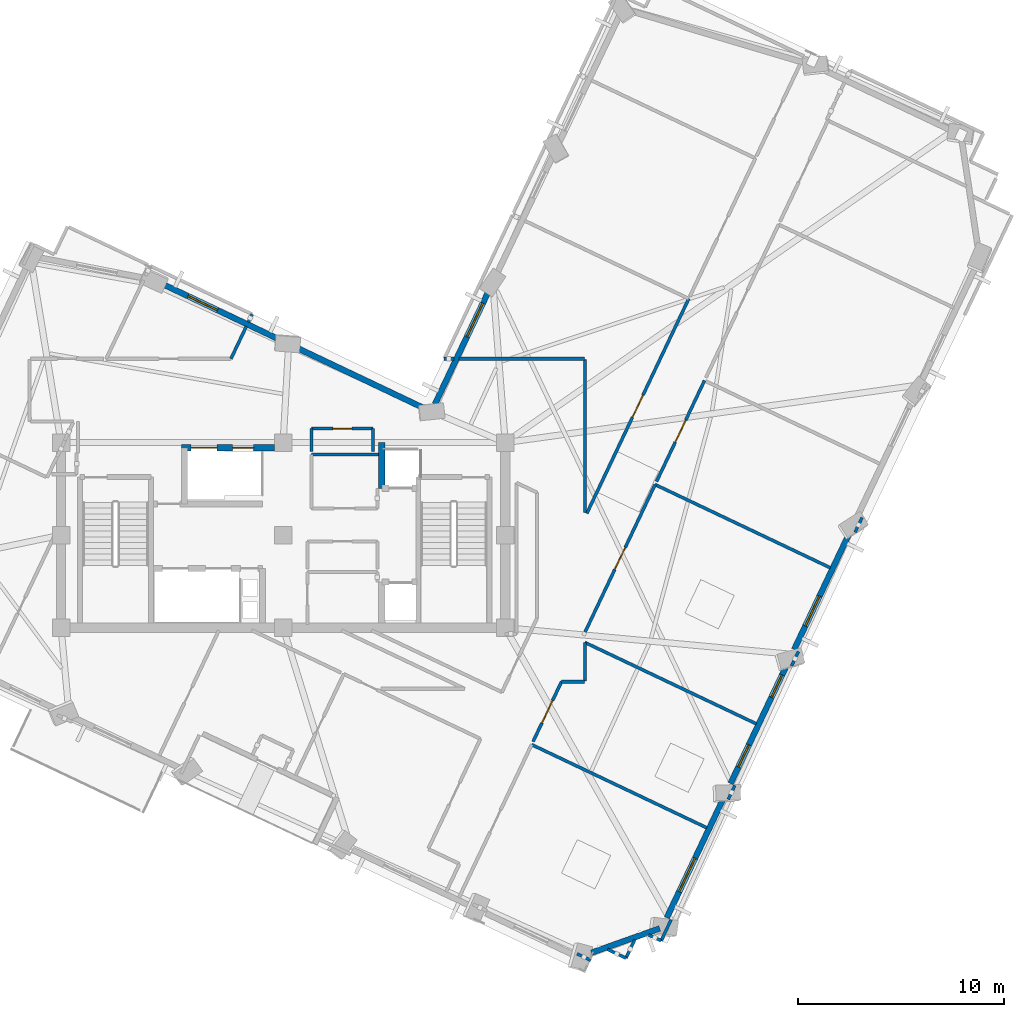
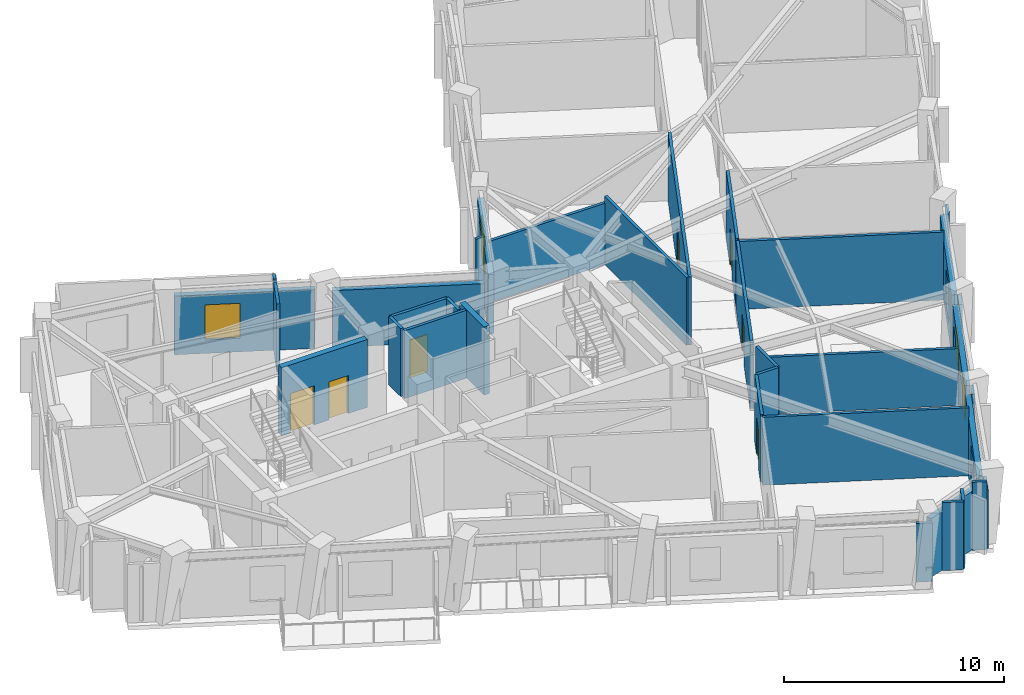
# One storey, part 7 of 13: 35 walls, 7 doors, 6 windows, 13 openings.
"""IFC4 building model written with IfcOpenShell, lengths in metres."""

from ifc_helpers import new_model, si_unit, direction, frame, frame_2d, origin, place, context, subcontext, project, spatial, rectangle, extrude, material, layer, layer_set, type_object, element, fill, save


model = new_model("IFC4")

# Units and contexts
model_context = context("Model", 3, precision=1e-05, world=origin(), true_north=direction((0.0, 1.0)))
body_context = subcontext(model_context, "Body", "Model", "MODEL_VIEW")
ifc_project = project(units=[si_unit("LENGTHUNIT", "METRE"), si_unit("AREAUNIT", "SQUARE_METRE"), si_unit("VOLUMEUNIT", "CUBIC_METRE"), si_unit("PLANEANGLEUNIT", "RADIAN"), si_unit("MASSUNIT", "GRAM", prefix="KILO")], contexts=[model_context])

# Site, building, storey
site_placement = place(None, origin())
site = spatial("IfcSite", under=ifc_project, at=site_placement, CompositionType="ELEMENT")
building_placement = place(site_placement, origin())
building = spatial("IfcBuilding", under=site, at=building_placement, Name="Gaonmaruhae Medical Tower", CompositionType="ELEMENT")
storey_placement = place(building_placement, frame((0.0, 0.0, 300.60009765625)))
storey = spatial("IfcBuildingStorey", under=building, at=storey_placement, Name="L72", CompositionType="ELEMENT", Elevation=300.60009765625)

# Wall, opening, window
ifc_material_1 = material(Name="Precast concrete C45/55", Category="concrete")
ifc_layer_1 = layer(ifc_material_1, 0.280029296875)
ifc_layer_set_1 = layer_set([ifc_layer_1], Name="Precast concrete C45/55")
wall_type_1 = type_object("IfcWallType", Name="EW-280 Upper Precast Masonry-Frame Facade Wall", PredefinedType="SOLIDWALL", material=ifc_layer_set_1)
wall_1_placement = place(storey_placement, frame((46.24169921875, -0.44921875, 0.0), z_axis=(0.0, 0.0, 1.0), x_axis=(-0.428929331446, -0.903338047812, 0.0)))
wall_1 = element("IfcWall", 1, at=wall_1_placement, inside=storey, type_object=wall_type_1, Name="L72 Precast Masonry-Frame Wall S01-S02", PredefinedType="SOLIDWALL", context=body_context, shape_type="SweptSolid", body=[
    extrude(rectangle(XDim=6.484619140625, YDim=0.280029296875, at=frame_2d((3.2421875, 0.0))), origin(), (0.0, 0.0, 1.0), 3.264892578125),
])
opening_1_placement = place(wall_1_placement, frame((3.281494140625, 0.0, 0.75)))
opening_1 = element("IfcOpeningElement", 2, at=opening_1_placement, cuts=wall_1, Name="Opening WN-04", PredefinedType="OPENING", context=body_context, shape_type="SweptSolid", body=[
    extrude(rectangle(XDim=1.800048828125, YDim=2.050048828125, at=frame_2d((0.89990234375, 1.02490234375))), frame((0.0, 0.14990234375, 0.0), z_axis=(0.0, -1.0, 0.0), x_axis=(1.0, 0.0, 0.0)), (0.0, 0.0, 1.0), 0.300048828125),
])
ifc_material_2 = material(Name="Anodised aluminium and Low-E double glazing", Category="aluminium")
window_type_1 = type_object("IfcWindowType", Name="WN-04 Clinic & Consult Punched Window 1800x2050", PartitioningType="SINGLE_PANEL", PredefinedType="WINDOW", material=ifc_material_2)
window_1_placement = place(opening_1_placement, origin())
window_1 = element("IfcWindow", 3, at=window_1_placement, inside=storey, type_object=window_type_1, Name="L72 Modular Facade Window S01", OverallHeight=2.050048828125, OverallWidth=1.800048828125, PartitioningType="SINGLE_PANEL", PredefinedType="WINDOW", context=body_context, shape_type="SweptSolid", body=[
    extrude(rectangle(XDim=1.800048828125, YDim=2.050048828125, at=frame_2d((0.89990234375, 1.02490234375))), frame((0.0, 0.030029296875, 0.0), z_axis=(0.0, -1.0, 0.0), x_axis=(1.0, 0.0, 0.0)), (0.0, 0.0, 1.0), 0.06005859375),
])
fill(opening_1, window_1)

# Wall, openings, windows
wall_2_placement = place(storey_placement, frame((49.322509765625, 6.03857421875, 0.0), z_axis=(0.0, 0.0, 1.0), x_axis=(-0.42896631969, -0.903320483866, 0.0)))
wall_2 = element("IfcWall", 4, at=wall_2_placement, inside=storey, type_object=wall_type_1, Name="L72 Precast Masonry-Frame Wall S02-S03", PredefinedType="SOLIDWALL", context=body_context, shape_type="SweptSolid", body=[
    extrude(rectangle(XDim=6.438720703125, YDim=0.280029296875, at=frame_2d((3.21923828125, 0.0))), origin(), (0.0, 0.0, 1.0), 3.264892578125),
])
opening_2_placement = place(wall_2_placement, frame((4.357666015625, 0.0, 0.75)))
opening_2 = element("IfcOpeningElement", 5, at=opening_2_placement, cuts=wall_2, Name="Opening WN-05", PredefinedType="OPENING", context=body_context, shape_type="SweptSolid", body=[
    extrude(rectangle(XDim=1.199951171875, YDim=1.75, at=frame_2d((0.60009765625, 0.875))), frame((0.0, 0.14990234375, 0.0), z_axis=(0.0, -1.0, 0.0), x_axis=(1.0, 0.0, 0.0)), (0.0, 0.0, 1.0), 0.300048828125),
])
opening_3_placement = place(wall_2_placement, frame((0.597900390625, 0.0, 0.75)))
opening_3 = element("IfcOpeningElement", 6, at=opening_3_placement, cuts=wall_2, Name="Opening WN-05", PredefinedType="OPENING", context=body_context, shape_type="SweptSolid", body=[
    extrude(rectangle(XDim=1.199951171875, YDim=1.75, at=frame_2d((0.60009765625, 0.875))), frame((0.0, 0.14990234375, 0.0), z_axis=(0.0, -1.0, 0.0), x_axis=(1.0, 0.0, 0.0)), (0.0, 0.0, 1.0), 0.300048828125),
])
window_type_2 = type_object("IfcWindowType", Name="WN-05 Support & Staff Punched Window 1200x1750", PartitioningType="SINGLE_PANEL", PredefinedType="WINDOW", material=ifc_material_2)
window_2_placement = place(opening_2_placement, origin())
window_2 = element("IfcWindow", 7, at=window_2_placement, inside=storey, type_object=window_type_2, Name="L72 Modular Facade Window S02", OverallHeight=1.75, OverallWidth=1.199951171875, PartitioningType="SINGLE_PANEL", PredefinedType="WINDOW", context=body_context, shape_type="SweptSolid", body=[
    extrude(rectangle(XDim=1.199951171875, YDim=1.75, at=frame_2d((0.60009765625, 0.875))), frame((0.0, 0.030029296875, 0.0), z_axis=(0.0, -1.0, 0.0), x_axis=(1.0, 0.0, 0.0)), (0.0, 0.0, 1.0), 0.06005859375),
])
fill(opening_2, window_2)
window_3_placement = place(opening_3_placement, origin())
window_3 = element("IfcWindow", 8, at=window_3_placement, inside=storey, type_object=window_type_2, Name="L72 Modular Facade Window S02B", OverallHeight=1.75, OverallWidth=1.199951171875, PartitioningType="SINGLE_PANEL", PredefinedType="WINDOW", context=body_context, shape_type="SweptSolid", body=[
    extrude(rectangle(XDim=1.199951171875, YDim=1.75, at=frame_2d((0.60009765625, 0.875))), frame((0.0, 0.030029296875, 0.0), z_axis=(0.0, -1.0, 0.0), x_axis=(1.0, 0.0, 0.0)), (0.0, 0.0, 1.0), 0.06005859375),
])
fill(opening_3, window_3)

# Wall, opening, window
wall_3_placement = place(storey_placement, frame((52.406982421875, 12.53515625, 0.0), z_axis=(0.0, 0.0, 1.0), x_axis=(-0.428909274497, -0.903347571121, 0.0)))
wall_3 = element("IfcWall", 9, at=wall_3_placement, inside=storey, type_object=wall_type_1, Name="L72 Precast Masonry-Frame Wall S03-S04", PredefinedType="SOLIDWALL", context=body_context, shape_type="SweptSolid", body=[
    extrude(rectangle(XDim=6.413330078125, YDim=0.280029296875, at=frame_2d((3.20654296875, 0.0))), origin(), (0.0, 0.0, 1.0), 3.264892578125),
])
opening_4_placement = place(wall_3_placement, frame((3.5458984375, 0.0, 0.75)))
opening_4 = element("IfcOpeningElement", 10, at=opening_4_placement, cuts=wall_3, Name="Opening WN-01", PredefinedType="OPENING", context=body_context, shape_type="SweptSolid", body=[
    extrude(rectangle(XDim=1.60009765625, YDim=1.949951171875, at=frame_2d((0.800048828125, 0.97509765625))), frame((0.0, 0.14990234375, 0.0), z_axis=(0.0, -1.0, 0.0), x_axis=(1.0, 0.0, 0.0)), (0.0, 0.0, 1.0), 0.300048828125),
])
window_type_3 = type_object("IfcWindowType", Name="WN-01 Ward Punched Acoustic Window 1600x1950", PartitioningType="SINGLE_PANEL", PredefinedType="WINDOW", material=ifc_material_2)
window_4_placement = place(opening_4_placement, origin())
window_4 = element("IfcWindow", 11, at=window_4_placement, inside=storey, type_object=window_type_3, Name="L72 Modular Facade Window S03", OverallHeight=1.949951171875, OverallWidth=1.60009765625, PartitioningType="SINGLE_PANEL", PredefinedType="WINDOW", context=body_context, shape_type="SweptSolid", body=[
    extrude(rectangle(XDim=1.60009765625, YDim=1.949951171875, at=frame_2d((0.800048828125, 0.97509765625))), frame((0.0, 0.030029296875, 0.0), z_axis=(0.0, -1.0, 0.0), x_axis=(1.0, 0.0, 0.0)), (0.0, 0.0, 1.0), 0.06005859375),
])
fill(opening_4, window_4)

wall_4_placement = place(storey_placement, frame((32.183837890625, 18.67041015625, 0.0), z_axis=(0.0, 0.0, 1.0), x_axis=(0.428931463167, 0.90333703561, 0.0)))
wall_4 = element("IfcWall", 12, at=wall_4_placement, inside=storey, type_object=wall_type_1, Name="L72 Precast Masonry-Frame Wall EN02-KN01", PredefinedType="SOLIDWALL", context=body_context, shape_type="SweptSolid", body=[
    extrude(rectangle(XDim=6.157958984375, YDim=0.280029296875, at=frame_2d((3.0791015625, 0.0))), origin(), (0.0, 0.0, 1.0), 3.264892578125),
])
opening_5_placement = place(wall_4_placement, frame((3.6376953125, 0.0, 0.75)))
opening_5 = element("IfcOpeningElement", 13, at=opening_5_placement, cuts=wall_4, Name="Opening WN-04", PredefinedType="OPENING", context=body_context, shape_type="SweptSolid", body=[
    extrude(rectangle(XDim=1.800048828125, YDim=2.050048828125, at=frame_2d((0.89990234375, 1.02490234375))), frame((0.0, 0.14990234375, 0.0), z_axis=(0.0, -1.0, 0.0), x_axis=(1.0, 0.0, 0.0)), (0.0, 0.0, 1.0), 0.300048828125),
])
window_5_placement = place(opening_5_placement, origin())
window_5 = element("IfcWindow", 14, at=window_5_placement, inside=storey, type_object=window_type_1, Name="L72 Modular Facade Window EN02", OverallHeight=2.050048828125, OverallWidth=1.800048828125, PartitioningType="SINGLE_PANEL", PredefinedType="WINDOW", context=body_context, shape_type="SweptSolid", body=[
    extrude(rectangle(XDim=1.800048828125, YDim=2.050048828125, at=frame_2d((0.89990234375, 1.02490234375))), frame((0.0, 0.030029296875, 0.0), z_axis=(0.0, -1.0, 0.0), x_axis=(1.0, 0.0, 0.0)), (0.0, 0.0, 1.0), 0.06005859375),
])
fill(opening_5, window_5)

# Wall
wall_5_placement = place(storey_placement, frame((25.41455078125, 21.435791015625, 0.0), z_axis=(0.0, 0.0, 1.0), x_axis=(0.903343787047, -0.428917244236, 0.0)))
element("IfcWall", 15, at=wall_5_placement, inside=storey, type_object=wall_type_1, Name="L72 Precast Masonry-Frame Wall KN01-NE01", PredefinedType="SOLIDWALL", context=body_context, shape_type="SweptSolid", body=[
    extrude(rectangle(XDim=6.9580078125, YDim=0.280029296875, at=frame_2d((3.47900390625, 0.0))), origin(), (0.0, 0.0, 1.0), 3.164794921875),
])

# Wall, opening, window
wall_6_placement = place(storey_placement, frame((18.8994140625, 24.529296875, 0.0), z_axis=(0.0, 0.0, 1.0), x_axis=(0.903347453224, -0.428909522806, 0.0)))
wall_6 = element("IfcWall", 16, at=wall_6_placement, inside=storey, type_object=wall_type_1, Name="L72 Precast Masonry-Frame Wall NE01-NE02", PredefinedType="SOLIDWALL", context=body_context, shape_type="SweptSolid", body=[
    extrude(rectangle(XDim=6.424072265625, YDim=0.280029296875, at=frame_2d((3.2119140625, 0.0))), origin(), (0.0, 0.0, 1.0), 3.264892578125),
])
opening_6_placement = place(wall_6_placement, frame((1.401123046875, 0.0, 0.75)))
opening_6 = element("IfcOpeningElement", 17, at=opening_6_placement, cuts=wall_6, Name="Opening WN-01", PredefinedType="OPENING", context=body_context, shape_type="SweptSolid", body=[
    extrude(rectangle(XDim=1.60009765625, YDim=1.949951171875, at=frame_2d((0.800048828125, 0.97509765625))), frame((0.0, 0.14990234375, 0.0), z_axis=(0.0, -1.0, 0.0), x_axis=(1.0, 0.0, 0.0)), (0.0, 0.0, 1.0), 0.300048828125),
])
window_6_placement = place(opening_6_placement, origin())
window_6 = element("IfcWindow", 18, at=window_6_placement, inside=storey, type_object=window_type_3, Name="L72 Modular Facade Window NE01", OverallHeight=1.949951171875, OverallWidth=1.60009765625, PartitioningType="SINGLE_PANEL", PredefinedType="WINDOW", context=body_context, shape_type="SweptSolid", body=[
    extrude(rectangle(XDim=1.60009765625, YDim=1.949951171875, at=frame_2d((0.800048828125, 0.97509765625))), frame((0.0, 0.030029296875, 0.0), z_axis=(0.0, -1.0, 0.0), x_axis=(1.0, 0.0, 0.0)), (0.0, 0.0, 1.0), 0.06005859375),
])
fill(opening_6, window_6)

# Walls
wall_7_placement = place(storey_placement, frame((43.116455078125, -6.82666015625, 0.0), z_axis=(0.0, 0.0, 1.0), x_axis=(-0.94204432359, -0.335488438537, 0.0)))
element("IfcWall", 19, at=wall_7_placement, inside=storey, type_object=wall_type_1, Name="L72 Precast Masonry-Frame Wall W06-S01", PredefinedType="SOLIDWALL", context=body_context, shape_type="SweptSolid", body=[
    extrude(rectangle(XDim=3.520751953125, YDim=0.280029296875, at=frame_2d((1.76025390625, 0.0))), origin(), (0.0, 0.0, 1.0), 3.264892578125),
])
ifc_material_3 = material(Name="Gypsum board partition", Category="gypsum")
ifc_layer_2 = layer(ifc_material_3, 0.14990234375)
ifc_layer_set_2 = layer_set([ifc_layer_2], Name="Gypsum board partition")
wall_type_2 = type_object("IfcWallType", Name="PW-150 Rated Clinical Corridor Partition", PredefinedType="PARTITIONING", material=ifc_layer_set_2)
wall_8_placement = place(storey_placement, frame((26.179931640625, 16.219970703125, 0.0), z_axis=(0.0, 0.0, 1.0), x_axis=(1.0, 0.0, 0.0)))
element("IfcWall", 20, at=wall_8_placement, inside=storey, type_object=wall_type_2, Name="L72 Interior Partition L72-RCL2-8", PredefinedType="PARTITIONING", context=body_context, shape_type="SweptSolid", body=[
    extrude(rectangle(XDim=3.260009765625, YDim=0.14990234375, at=frame_2d((1.6298828125, 0.0))), origin(), (0.0, 0.0, 1.0), 3.77978515625),
])
wall_9_placement = place(storey_placement, frame((26.179931640625, 16.3798828125, 0.0), z_axis=(0.0, 0.0, 1.0), x_axis=(0.0, 1.0, 0.0)))
element("IfcWall", 21, at=wall_9_placement, inside=storey, type_object=wall_type_2, Name="L72 Interior Partition L72-CS2-11", PredefinedType="PARTITIONING", context=body_context, shape_type="SweptSolid", body=[
    extrude(rectangle(XDim=1.10009765625, YDim=0.14990234375, at=frame_2d((0.550048828125, 0.0))), origin(), (0.0, 0.0, 1.0), 3.77978515625),
])

# Wall, opening, door
wall_10_placement = place(storey_placement, frame((26.179931640625, 17.47998046875, 0.0), z_axis=(0.0, 0.0, 1.0), x_axis=(1.0, 0.0, 0.0)))
wall_10 = element("IfcWall", 22, at=wall_10_placement, inside=storey, type_object=wall_type_2, Name="L72 Interior Partition L72-CS2-12", PredefinedType="PARTITIONING", context=body_context, shape_type="SweptSolid", body=[
    extrude(rectangle(XDim=3.0, YDim=0.14990234375, at=frame_2d((1.5, 0.0))), origin(), (0.0, 0.0, 1.0), 3.77978515625),
])
opening_7_placement = place(wall_10_placement, frame((1.0400390625, 0.0, 0.0)))
opening_7 = element("IfcOpeningElement", 23, at=opening_7_placement, cuts=wall_10, Name="Opening UD-01", PredefinedType="OPENING", context=body_context, shape_type="SweptSolid", body=[
    extrude(rectangle(XDim=0.919921875, YDim=2.10009765625, at=frame_2d((0.4599609375, 1.050048828125))), frame((0.0, 0.0849609375, 0.0), z_axis=(0.0, -1.0, 0.0), x_axis=(1.0, 0.0, 0.0)), (0.0, 0.0, 1.0), 0.169921875),
])
ifc_material_4 = material(Name="Powder-coated steel utility door", Category="steel")
door_type_1 = type_object("IfcDoorType", Name="UD-01 Toilet, Utility & Housekeeping Door 920x2100", OperationType="NOTDEFINED", PredefinedType="DOOR", material=ifc_material_4)
door_1_placement = place(opening_7_placement, origin())
door_1 = element("IfcDoor", 24, at=door_1_placement, inside=storey, type_object=door_type_1, Name="L72 Biomedical Telemetry Closet Door", OperationType="SINGLE_SWING_RIGHT", OverallHeight=2.10009765625, OverallWidth=0.919921875, PredefinedType="DOOR", context=body_context, shape_type="SweptSolid", body=[
    extrude(rectangle(XDim=0.919921875, YDim=2.10009765625, at=frame_2d((0.4599609375, 1.050048828125))), frame((0.0, 0.02490234375, 0.0), z_axis=(0.0, -1.0, 0.0), x_axis=(1.0, 0.0, 0.0)), (0.0, 0.0, 1.0), 0.050048828125),
])
fill(opening_7, door_1)

# Walls
wall_11_placement = place(storey_placement, frame((29.179931640625, 17.47998046875, 0.0), z_axis=(0.0, 0.0, 1.0), x_axis=(0.0, -1.0, 0.0)))
element("IfcWall", 25, at=wall_11_placement, inside=storey, type_object=wall_type_2, Name="L72 Interior Partition L72-CS2-13", PredefinedType="PARTITIONING", context=body_context, shape_type="SweptSolid", body=[
    extrude(rectangle(XDim=1.10009765625, YDim=0.14990234375, at=frame_2d((0.550048828125, 0.0))), origin(), (0.0, 0.0, 1.0), 3.77978515625),
])
wall_12_placement = place(storey_placement, frame((41.47412109375, -8.27490234375, 0.0), z_axis=(0.0, 0.0, 1.0), x_axis=(-0.903243971054, 0.429127403872, 0.0)))
element("IfcWall", 26, at=wall_12_placement, inside=storey, type_object=wall_type_2, Name="L72 Interior Partition L72-SUP01-14", PredefinedType="PARTITIONING", context=body_context, shape_type="SweptSolid", body=[
    extrude(rectangle(XDim=0.987548828125, YDim=0.14990234375, at=frame_2d((0.49365234375, 0.0))), origin(), (0.0, 0.0, 1.0), 3.77978515625),
])
wall_13_placement = place(storey_placement, frame((39.764892578125, -8.376953125, 0.0), z_axis=(0.0, 0.0, 1.0), x_axis=(-0.903447558954, 0.428698621667, 0.0)))
element("IfcWall", 27, at=wall_13_placement, inside=storey, type_object=wall_type_2, Name="L72 Interior Partition L72-SUP01-15", PredefinedType="PARTITIONING", context=body_context, shape_type="SweptSolid", body=[
    extrude(rectangle(XDim=0.73681640625, YDim=0.14990234375, at=frame_2d((0.368408203125, 0.0))), origin(), (0.0, 0.0, 1.0), 3.264892578125),
])
wall_14_placement = place(storey_placement, frame((36.885986328125, 2.112060546875, 0.0), z_axis=(0.0, 0.0, 1.0), x_axis=(0.903330146776, -0.428945970871, 0.0)))
element("IfcWall", 28, at=wall_14_placement, inside=storey, type_object=wall_type_2, Name="L72 Interior Partition L72-SUP01-18", PredefinedType="PARTITIONING", context=body_context, shape_type="SweptSolid", body=[
    extrude(rectangle(XDim=9.43505859375, YDim=0.14990234375, at=frame_2d((4.717529296875, 0.0))), origin(), (0.0, 0.0, 1.0), 3.77978515625),
])
wall_15_placement = place(storey_placement, frame((43.66796875, -6.406005859375, 0.0), z_axis=(0.0, 0.0, 1.0), x_axis=(-0.428606838529, -0.903491105638, 0.0)))
element("IfcWall", 29, at=wall_15_placement, inside=storey, type_object=wall_type_2, Name="L72 Interior Partition L72-SUP01-19", PredefinedType="PARTITIONING", context=body_context, shape_type="SweptSolid", body=[
    extrude(rectangle(XDim=1.12890625, YDim=0.14990234375, at=frame_2d((0.564453125, 0.0))), origin(), (0.0, 0.0, 1.0), 3.264892578125),
])
wall_16_placement = place(storey_placement, frame((43.18408203125, -7.426025390625, 0.0), z_axis=(0.0, 0.0, 1.0), x_axis=(-0.90345462393, 0.428683732488, 0.0)))
element("IfcWall", 30, at=wall_16_placement, inside=storey, type_object=wall_type_2, Name="L72 Interior Partition L72-SUP01-20", PredefinedType="PARTITIONING", context=body_context, shape_type="SweptSolid", body=[
    extrude(rectangle(XDim=0.66748046875, YDim=0.14990234375, at=frame_2d((0.333740234375, 0.0))), origin(), (0.0, 0.0, 1.0), 3.77978515625),
])
wall_17_placement = place(storey_placement, frame((41.89794921875, -7.383056640625, 0.0), z_axis=(0.0, 0.0, 1.0), x_axis=(-0.429223236607, -0.903198435094, 0.0)))
element("IfcWall", 31, at=wall_17_placement, inside=storey, type_object=wall_type_2, Name="L72 Interior Partition L72-SUP01-21", PredefinedType="PARTITIONING", context=body_context, shape_type="SweptSolid", body=[
    extrude(rectangle(XDim=0.987548828125, YDim=0.14990234375, at=frame_2d((0.49365234375, 0.0))), origin(), (0.0, 0.0, 1.0), 3.77978515625),
])
wall_18_placement = place(storey_placement, frame((39.47998046875, 5.199951171875, 0.0), z_axis=(0.0, 0.0, 1.0), x_axis=(0.0, 1.0, 0.0)))
element("IfcWall", 32, at=wall_18_placement, inside=storey, type_object=wall_type_2, Name="L72 Interior Partition L72-SUP02-22", PredefinedType="PARTITIONING", context=body_context, shape_type="SweptSolid", body=[
    extrude(rectangle(XDim=1.880126953125, YDim=0.14990234375, at=frame_2d((0.93994140625, 0.0))), origin(), (0.0, 0.0, 1.0), 3.77978515625),
])
wall_19_placement = place(storey_placement, frame((39.47998046875, 7.080078125, 0.0), z_axis=(0.0, 0.0, 1.0), x_axis=(0.903327769152, -0.428950977943, 0.0)))
element("IfcWall", 33, at=wall_19_placement, inside=storey, type_object=wall_type_2, Name="L72 Interior Partition L72-SUP02-23", PredefinedType="PARTITIONING", context=body_context, shape_type="SweptSolid", body=[
    extrude(rectangle(XDim=9.22265625, YDim=0.14990234375, at=frame_2d((4.611328125, 0.0))), origin(), (0.0, 0.0, 1.0), 3.164794921875),
])
wall_20_placement = place(storey_placement, frame((46.76806640625, 0.1240234375, 0.0), z_axis=(0.0, 0.0, 1.0), x_axis=(-0.428876087567, -0.903363327523, 0.0)))
element("IfcWall", 34, at=wall_20_placement, inside=storey, type_object=wall_type_2, Name="L72 Interior Partition L72-SUP02-24", PredefinedType="PARTITIONING", context=body_context, shape_type="SweptSolid", body=[
    extrude(rectangle(XDim=0.744140625, YDim=0.14990234375, at=frame_2d((0.3720703125, 0.0))), origin(), (0.0, 0.0, 1.0), 3.264892578125),
])

# Wall, opening, door
wall_21_placement = place(storey_placement, frame((36.955078125, 2.257080078125, 0.0), z_axis=(0.0, 0.0, 1.0), x_axis=(0.428857570824, 0.903372118203, 0.0)))
wall_21 = element("IfcWall", 35, at=wall_21_placement, inside=storey, type_object=wall_type_2, Name="L72 Interior Partition L72-SUP02-25", PredefinedType="PARTITIONING", context=body_context, shape_type="SweptSolid", body=[
    extrude(rectangle(XDim=3.224365234375, YDim=0.14990234375, at=frame_2d((1.6123046875, 0.0))), origin(), (0.0, 0.0, 1.0), 3.77978515625),
])
opening_8_placement = place(wall_21_placement, frame((1.01220703125, 0.0, 0.0)))
opening_8 = element("IfcOpeningElement", 36, at=opening_8_placement, cuts=wall_21, Name="Opening CD-02", PredefinedType="OPENING", context=body_context, shape_type="SweptSolid", body=[
    extrude(rectangle(XDim=1.199951171875, YDim=2.14990234375, at=frame_2d((0.60009765625, 1.074951171875))), frame((0.0, 0.0849609375, 0.0), z_axis=(0.0, -1.0, 0.0), x_axis=(1.0, 0.0, 0.0)), (0.0, 0.0, 1.0), 0.169921875),
])
ifc_material_5 = material(Name="Antimicrobial laminate timber fire door", Category="wood")
door_type_2 = type_object("IfcDoorType", Name="CD-02 Clinical Treatment & Procedure Door 1200x2150", OperationType="NOTDEFINED", PredefinedType="DOOR", material=ifc_material_5)
door_2_placement = place(opening_8_placement, origin())
door_2 = element("IfcDoor", 37, at=door_2_placement, inside=storey, type_object=door_type_2, Name="L72 Clinical Biomedical Charting Office Door", OperationType="SINGLE_SWING_LEFT", OverallHeight=2.14990234375, OverallWidth=1.199951171875, PredefinedType="DOOR", context=body_context, shape_type="SweptSolid", body=[
    extrude(rectangle(XDim=1.199951171875, YDim=2.14990234375, at=frame_2d((0.60009765625, 1.074951171875))), frame((0.0, 0.02490234375, 0.0), z_axis=(0.0, -1.0, 0.0), x_axis=(1.0, 0.0, 0.0)), (0.0, 0.0, 1.0), 0.050048828125),
])
fill(opening_8, door_2)

# Walls
wall_22_placement = place(storey_placement, frame((38.337890625, 5.169921875, 0.0), z_axis=(0.0, 0.0, 1.0), x_axis=(1.0, 0.0, 0.0)))
element("IfcWall", 38, at=wall_22_placement, inside=storey, type_object=wall_type_2, Name="L72 Interior Partition L72-SUP02-26", PredefinedType="PARTITIONING", context=body_context, shape_type="SweptSolid", body=[
    extrude(rectangle(XDim=1.114990234375, YDim=0.14990234375, at=frame_2d((0.5576171875, 0.0))), origin(), (0.0, 0.0, 1.0), 3.77978515625),
])
wall_23_placement = place(storey_placement, frame((42.89111328125, 14.759033203125, 0.0), z_axis=(0.0, 0.0, 1.0), x_axis=(0.903330146776, -0.428945970871, 0.0)))
element("IfcWall", 39, at=wall_23_placement, inside=storey, type_object=wall_type_2, Name="L72 Interior Partition L72-SUP03-27", PredefinedType="PARTITIONING", context=body_context, shape_type="SweptSolid", body=[
    extrude(rectangle(XDim=9.43505859375, YDim=0.14990234375, at=frame_2d((4.717529296875, 0.0))), origin(), (0.0, 0.0, 1.0), 3.77978515625),
])
wall_24_placement = place(storey_placement, frame((49.864013671875, 6.64306640625, 0.0), z_axis=(0.0, 0.0, 1.0), x_axis=(-0.429056814568, -0.903277504354, 0.0)))
element("IfcWall", 40, at=wall_24_placement, inside=storey, type_object=wall_type_2, Name="L72 Interior Partition L72-SUP03-28", PredefinedType="PARTITIONING", context=body_context, shape_type="SweptSolid", body=[
    extrude(rectangle(XDim=0.7783203125, YDim=0.14990234375, at=frame_2d((0.38916015625, 0.0))), origin(), (0.0, 0.0, 1.0), 3.264892578125),
])

# Wall, opening, door
wall_25_placement = place(storey_placement, frame((39.47998046875, 7.574951171875, 0.0), z_axis=(0.0, 0.0, 1.0), x_axis=(0.428922806164, 0.903341146163, 0.0)))
wall_25 = element("IfcWall", 41, at=wall_25_placement, inside=storey, type_object=wall_type_2, Name="L72 Interior Partition L72-SUP03-29", PredefinedType="PARTITIONING", context=body_context, shape_type="SweptSolid", body=[
    extrude(rectangle(XDim=7.952880859375, YDim=0.14990234375, at=frame_2d((3.9765625, 0.0))), origin(), (0.0, 0.0, 1.0), 3.77978515625),
])
opening_9_placement = place(wall_25_placement, frame((3.376220703125, 0.0, 0.0)))
opening_9 = element("IfcOpeningElement", 42, at=opening_9_placement, cuts=wall_25, Name="Opening CD-02", PredefinedType="OPENING", context=body_context, shape_type="SweptSolid", body=[
    extrude(rectangle(XDim=1.199951171875, YDim=2.14990234375, at=frame_2d((0.60009765625, 1.074951171875))), frame((0.0, 0.0849609375, 0.0), z_axis=(0.0, -1.0, 0.0), x_axis=(1.0, 0.0, 0.0)), (0.0, 0.0, 1.0), 0.169921875),
])
door_3_placement = place(opening_9_placement, origin())
door_3 = element("IfcDoor", 43, at=door_3_placement, inside=storey, type_object=door_type_2, Name="L72 Clinical Biomedical Charting Office Door", OperationType="SINGLE_SWING_RIGHT", OverallHeight=2.14990234375, OverallWidth=1.199951171875, PredefinedType="DOOR", context=body_context, shape_type="SweptSolid", body=[
    extrude(rectangle(XDim=1.199951171875, YDim=2.14990234375, at=frame_2d((0.60009765625, 1.074951171875))), frame((0.0, 0.02490234375, 0.0), z_axis=(0.0, -1.0, 0.0), x_axis=(1.0, 0.0, 0.0)), (0.0, 0.0, 1.0), 0.050048828125),
])
fill(opening_9, door_3)

wall_26_placement = place(storey_placement, frame((42.9599609375, 14.904052734375, 0.0), z_axis=(0.0, 0.0, 1.0), x_axis=(0.428881036616, 0.903360977921, 0.0)))
wall_26 = element("IfcWall", 44, at=wall_26_placement, inside=storey, type_object=wall_type_2, Name="L72 Interior Partition L72-SUP04-30", PredefinedType="PARTITIONING", context=body_context, shape_type="SweptSolid", body=[
    extrude(rectangle(XDim=5.439697265625, YDim=0.14990234375, at=frame_2d((2.7197265625, 0.0))), origin(), (0.0, 0.0, 1.0), 3.77978515625),
])
opening_10_placement = place(wall_26_placement, frame((2.119873046875, 0.0, 0.0)))
opening_10 = element("IfcOpeningElement", 45, at=opening_10_placement, cuts=wall_26, Name="Opening CD-02", PredefinedType="OPENING", context=body_context, shape_type="SweptSolid", body=[
    extrude(rectangle(XDim=1.199951171875, YDim=2.14990234375, at=frame_2d((0.60009765625, 1.074951171875))), frame((0.0, 0.0849609375, 0.0), z_axis=(0.0, -1.0, 0.0), x_axis=(1.0, 0.0, 0.0)), (0.0, 0.0, 1.0), 0.169921875),
])
door_4_placement = place(opening_10_placement, origin())
door_4 = element("IfcDoor", 46, at=door_4_placement, inside=storey, type_object=door_type_2, Name="L72 Clinical Biomedical Charting Office Door", OperationType="SINGLE_SWING_RIGHT", OverallHeight=2.14990234375, OverallWidth=1.199951171875, PredefinedType="DOOR", context=body_context, shape_type="SweptSolid", body=[
    extrude(rectangle(XDim=1.199951171875, YDim=2.14990234375, at=frame_2d((0.60009765625, 1.074951171875))), frame((0.0, 0.02490234375, 0.0), z_axis=(0.0, -1.0, 0.0), x_axis=(1.0, 0.0, 0.0)), (0.0, 0.0, 1.0), 0.050048828125),
])
fill(opening_10, door_4)

# Walls
wall_27_placement = place(storey_placement, frame((52.955078125, 13.154052734375, 0.0), z_axis=(0.0, 0.0, 1.0), x_axis=(-0.428535912519, -0.903524748793, 0.0)))
element("IfcWall", 47, at=wall_27_placement, inside=storey, type_object=wall_type_2, Name="L72 Interior Partition L72-SUP04-32", PredefinedType="PARTITIONING", context=body_context, shape_type="SweptSolid", body=[
    extrude(rectangle(XDim=0.793701171875, YDim=0.14990234375, at=frame_2d((0.39697265625, 0.0))), origin(), (0.0, 0.0, 1.0), 3.264892578125),
])
wall_28_placement = place(storey_placement, frame((39.449951171875, 20.8798828125, 0.0), z_axis=(0.0, 0.0, 1.0), x_axis=(-1.0, 0.0, 0.0)))
element("IfcWall", 48, at=wall_28_placement, inside=storey, type_object=wall_type_2, Name="L72 Interior Partition L72-IE02-67", PredefinedType="PARTITIONING", context=body_context, shape_type="SweptSolid", body=[
    extrude(rectangle(XDim=6.08984375, YDim=0.14990234375, at=frame_2d((3.044921875, 0.0))), origin(), (0.0, 0.0, 1.0), 3.414794921875),
])
wall_29_placement = place(storey_placement, frame((33.10595703125, 20.8798828125, 0.0), z_axis=(0.0, 0.0, 1.0), x_axis=(-1.0, 0.0, 0.0)))
element("IfcWall", 49, at=wall_29_placement, inside=storey, type_object=wall_type_2, Name="L72 Interior Partition L72-IE02-68", PredefinedType="PARTITIONING", context=body_context, shape_type="SweptSolid", body=[
    extrude(rectangle(XDim=0.48193359375, YDim=0.14990234375, at=frame_2d((0.240966796875, 0.0))), origin(), (0.0, 0.0, 1.0), 3.77978515625),
])

# Wall, opening, door
wall_30_placement = place(storey_placement, frame((44.527099609375, 23.799072265625, 0.0), z_axis=(0.0, 0.0, 1.0), x_axis=(-0.428918545399, -0.90334316924, 0.0)))
wall_30 = element("IfcWall", 50, at=wall_30_placement, inside=storey, type_object=wall_type_2, Name="L72 Interior Partition L72-IE02-72", PredefinedType="PARTITIONING", context=body_context, shape_type="SweptSolid", body=[
    extrude(rectangle(XDim=11.5615234375, YDim=0.14990234375, at=frame_2d((5.78076171875, 0.0))), origin(), (0.0, 0.0, 1.0), 3.77978515625),
])
opening_11_placement = place(wall_30_placement, frame((5.180908203125, 0.0, 0.0)))
opening_11 = element("IfcOpeningElement", 51, at=opening_11_placement, cuts=wall_30, Name="Opening CD-02", PredefinedType="OPENING", context=body_context, shape_type="SweptSolid", body=[
    extrude(rectangle(XDim=1.199951171875, YDim=2.14990234375, at=frame_2d((0.60009765625, 1.074951171875))), frame((0.0, 0.0849609375, 0.0), z_axis=(0.0, -1.0, 0.0), x_axis=(1.0, 0.0, 0.0)), (0.0, 0.0, 1.0), 0.169921875),
])
door_5_placement = place(opening_11_placement, origin())
door_5 = element("IfcDoor", 52, at=door_5_placement, inside=storey, type_object=door_type_2, Name="L72 Acute Treatment Examination Room Door", OperationType="SINGLE_SWING_RIGHT", OverallHeight=2.14990234375, OverallWidth=1.199951171875, PredefinedType="DOOR", context=body_context, shape_type="SweptSolid", body=[
    extrude(rectangle(XDim=1.199951171875, YDim=2.14990234375, at=frame_2d((0.60009765625, 1.074951171875))), frame((0.0, 0.02490234375, 0.0), z_axis=(0.0, -1.0, 0.0), x_axis=(1.0, 0.0, 0.0)), (0.0, 0.0, 1.0), 0.050048828125),
])
fill(opening_11, door_5)

# Walls
wall_31_placement = place(storey_placement, frame((39.47998046875, 13.39599609375, 0.0), z_axis=(0.0, 0.0, 1.0), x_axis=(0.0, 1.0, 0.0)))
element("IfcWall", 53, at=wall_31_placement, inside=storey, type_object=wall_type_2, Name="L72 Interior Partition L72-IE02-73", PredefinedType="PARTITIONING", context=body_context, shape_type="SweptSolid", body=[
    extrude(rectangle(XDim=7.45703125, YDim=0.14990234375, at=frame_2d((3.728515625, 0.0))), origin(), (0.0, 0.0, 1.0), 3.77978515625),
])
wall_32_placement = place(storey_placement, frame((23.2939453125, 23.052001953125, 0.0), z_axis=(0.0, 0.0, 1.0), x_axis=(-0.429628756121, -0.903005610123, 0.0)))
element("IfcWall", 54, at=wall_32_placement, inside=storey, type_object=wall_type_2, Name="L72 Interior Partition L72-IN02-84", PredefinedType="PARTITIONING", context=body_context, shape_type="SweptSolid", body=[
    extrude(rectangle(XDim=0.435302734375, YDim=0.14990234375, at=frame_2d((0.2177734375, 0.0))), origin(), (0.0, 0.0, 1.0), 3.77978515625),
])
wall_33_placement = place(storey_placement, frame((23.009033203125, 22.450927734375, 0.0), z_axis=(0.0, 0.0, 1.0), x_axis=(-0.428985229974, -0.90331150356, 0.0)))
element("IfcWall", 55, at=wall_33_placement, inside=storey, type_object=wall_type_2, Name="L72 Interior Partition L72-IN02-85", PredefinedType="PARTITIONING", context=body_context, shape_type="SweptSolid", body=[
    extrude(rectangle(XDim=1.7392578125, YDim=0.14990234375, at=frame_2d((0.86962890625, 0.0))), origin(), (0.0, 0.0, 1.0), 3.77978515625),
])

# Wall, openings, doors
ifc_material_6 = material(Name="Concrete C50/60", Category="concrete")
ifc_layer_3 = layer(ifc_material_6, 0.300048828125)
ifc_layer_set_3 = layer_set([ifc_layer_3], Name="Concrete C50/60")
wall_type_3 = type_object("IfcWallType", Name="SW-300 Stair & Lift Hoistway Shaft Wall", PredefinedType="SOLIDWALL", material=ifc_layer_set_3)
wall_34_placement = place(storey_placement, frame((19.85009765625, 16.550048828125, 0.0), z_axis=(0.0, 0.0, 1.0), x_axis=(1.0, 0.0, 0.0)))
wall_34 = element("IfcWall", 56, at=wall_34_placement, inside=storey, type_object=wall_type_3, Name="L72 Core Shear Wall CSW-NB", PredefinedType="SOLIDWALL", context=body_context, shape_type="SweptSolid", body=[
    extrude(rectangle(XDim=4.52490234375, YDim=0.300048828125, at=frame_2d((2.262451171875, 0.0))), origin(), (0.0, 0.0, 1.0), 3.77978515625),
])
opening_12_placement = place(wall_34_placement, frame((0.47509765625, 0.0, 0.0)))
opening_12 = element("IfcOpeningElement", 57, at=opening_12_placement, cuts=wall_34, Name="Opening LD-F1", PredefinedType="OPENING", context=body_context, shape_type="SweptSolid", body=[
    extrude(rectangle(XDim=1.25, YDim=2.179931640625, at=frame_2d((0.625, 1.08984375))), frame((0.0, 0.16015625, 0.0), z_axis=(0.0, -1.0, 0.0), x_axis=(1.0, 0.0, 0.0)), (0.0, 0.0, 1.0), 0.320068359375),
])
opening_13_placement = place(wall_34_placement, frame((2.489990234375, 0.0, 0.0)))
opening_13 = element("IfcOpeningElement", 58, at=opening_13_placement, cuts=wall_34, Name="Opening LD-S1", PredefinedType="OPENING", context=body_context, shape_type="SweptSolid", body=[
    extrude(rectangle(XDim=1.02001953125, YDim=2.1201171875, at=frame_2d((0.510009765625, 1.06005859375))), frame((0.0, 0.16015625, 0.0), z_axis=(0.0, -1.0, 0.0), x_axis=(1.0, 0.0, 0.0)), (0.0, 0.0, 1.0), 0.320068359375),
])
ifc_material_7 = material(Name="Brushed stainless steel 316L landing door", Category="steel")
door_type_3 = type_object("IfcDoorType", Name="LD-F1 Firefighting & Bed Lift Sliding Landing Door 1250x2180", OperationType="NOTDEFINED", PredefinedType="DOOR", material=ifc_material_7)
door_6_placement = place(opening_12_placement, origin())
door_6 = element("IfcDoor", 59, at=door_6_placement, inside=storey, type_object=door_type_3, Name="L72 Service/Bed Lift Landing Door BDL-01", OperationType="DOUBLE_DOOR_SLIDING", OverallHeight=2.179931640625, OverallWidth=1.25, PredefinedType="DOOR", context=body_context, shape_type="SweptSolid", body=[
    extrude(rectangle(XDim=1.25, YDim=2.179931640625, at=frame_2d((0.625, 1.08984375))), frame((0.0, 0.02490234375, 0.0), z_axis=(0.0, -1.0, 0.0), x_axis=(1.0, 0.0, 0.0)), (0.0, 0.0, 1.0), 0.050048828125),
])
fill(opening_12, door_6)
ifc_material_8 = material(Name="Brushed stainless steel 304 landing door", Category="steel")
door_type_4 = type_object("IfcDoorType", Name="LD-S1 Service Lift Sliding Landing Door 1020x2120", OperationType="NOTDEFINED", PredefinedType="DOOR", material=ifc_material_8)
door_7_placement = place(opening_13_placement, origin())
door_7 = element("IfcDoor", 60, at=door_7_placement, inside=storey, type_object=door_type_4, Name="L72 Service/Bed Lift Landing Door SVL-01", OperationType="SLIDING_TO_LEFT", OverallHeight=2.1201171875, OverallWidth=1.02001953125, PredefinedType="DOOR", context=body_context, shape_type="SweptSolid", body=[
    extrude(rectangle(XDim=1.02001953125, YDim=2.1201171875, at=frame_2d((0.510009765625, 1.06005859375))), frame((0.0, 0.02490234375, 0.0), z_axis=(0.0, -1.0, 0.0), x_axis=(1.0, 0.0, 0.0)), (0.0, 0.0, 1.0), 0.050048828125),
])
fill(opening_13, door_7)

# Wall
wall_35_placement = place(storey_placement, frame((29.60009765625, 14.580078125, 0.0), z_axis=(0.0, 0.0, 1.0), x_axis=(0.0, 1.0, 0.0)))
element("IfcWall", 61, at=wall_35_placement, inside=storey, type_object=wall_type_3, Name="L72 Shaft Enclosure Wall SHW-PLD2", PredefinedType="SOLIDWALL", context=body_context, shape_type="SweptSolid", body=[
    extrude(rectangle(XDim=2.219970703125, YDim=0.300048828125, at=frame_2d((1.10986328125, 0.0))), origin(), (0.0, 0.0, 1.0), 3.77978515625),
])

save(model, "model.ifc")
